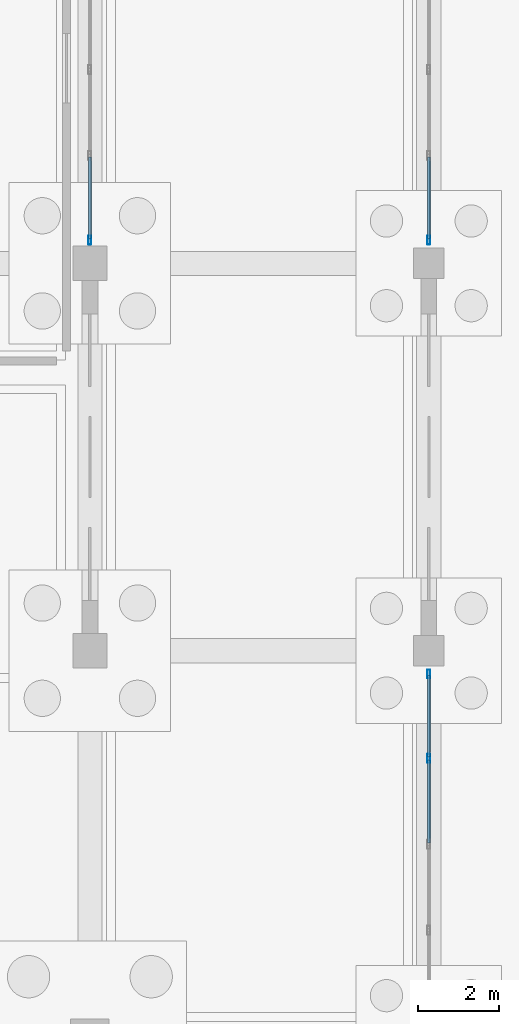
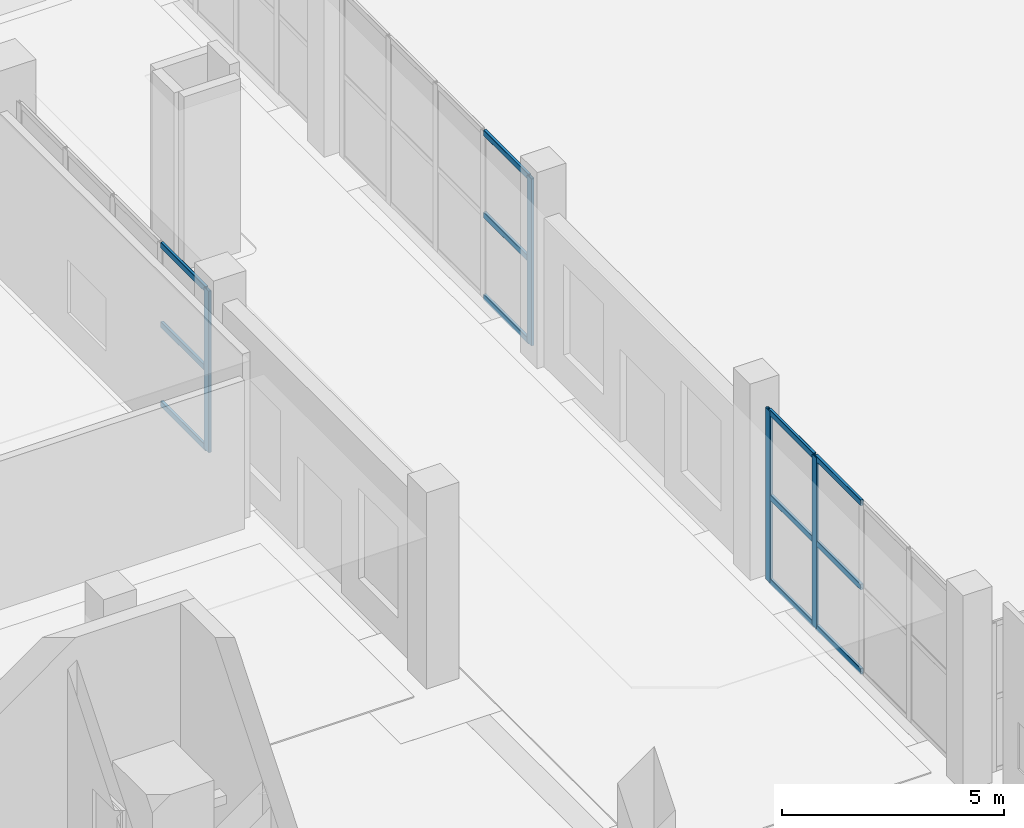
# One storey, part 16 of 65: 16 members, 3 elements without a shape of their own.
"""IFC4 building model written with IfcOpenShell, lengths in metres."""

from ifc_helpers import new_model, si_unit, direction, frame, origin, origin_2d, place, context, subcontext, project, spatial, hollow_rectangle, extrude, material, layer, layer_set, material_profile, profile_set, type_object, element, aggregate, save


model = new_model("IFC4")

# Units and contexts
model_context = context("Model", 3, precision=1e-05, world=origin(), true_north=direction((0.0, 1.0)))
body_context = subcontext(model_context, "Body", "Model", "MODEL_VIEW")
ifc_project = project(units=[si_unit("LENGTHUNIT", "METRE"), si_unit("AREAUNIT", "SQUARE_METRE"), si_unit("VOLUMEUNIT", "CUBIC_METRE"), si_unit("PLANEANGLEUNIT", "RADIAN"), si_unit("MASSUNIT", "GRAM", prefix="KILO")], contexts=[model_context])

# Site, building, storey
site_placement = place(None, origin())
site = spatial("IfcSite", under=ifc_project, at=site_placement, CompositionType="ELEMENT")
building_placement = place(site_placement, origin())
building = spatial("IfcBuilding", under=site, at=building_placement, Name="Zulmaris Art Gallery", CompositionType="ELEMENT")
storey_placement = place(building_placement, origin())
storey = spatial("IfcBuildingStorey", under=building, at=storey_placement, Name="L00", CompositionType="ELEMENT", Elevation=0.0)

# Curtain wall, members
ifc_material_1 = material(Name="Cloister & Court Glazed Curtain Wall", Category="aluminium")
ifc_layer = layer(ifc_material_1, 0.179931640625)
ifc_layer_set = layer_set([ifc_layer], Name="Cloister & Court Glazed Curtain Wall")
curtain_wall_type = type_object("IfcCurtainWallType", Name="CW-CW03", PredefinedType="NOTDEFINED", material=ifc_layer_set)
curtain_wall_1_placement = place(storey_placement, origin())
curtain_wall_1 = element("IfcCurtainWall", 1, at=curtain_wall_1_placement, inside=storey, type_object=curtain_wall_type, Name="L00 curtain wall 66", PredefinedType="NOTDEFINED")
ifc_material_2 = material(Name="Anodised Bronze Aluminium", Category="aluminium")
ifc_material_profile_1 = material_profile(ifc_material_2, hollow_rectangle(XDim=0.074951171875, YDim=0.219970703125, WallThickness=0.0048828125, InnerFilletRadius=0.007568359375, OuterFilletRadius=0.012451171875, at=origin_2d()), Name="ALU 75x220x5")
ifc_profile_set_1 = profile_set([ifc_material_profile_1], Name="Anodised Bronze Aluminium")
member_type_1 = type_object("IfcMemberType", Name="CWMUL-02", PredefinedType="MULLION", material=ifc_profile_set_1)
member_1_placement = place(storey_placement, frame((91.199951171875, 30.62255859375, 0.0), z_axis=(0.0, 0.0, 1.0), x_axis=(1.0, 0.0, 0.0)))
member_1 = element("IfcMember", 2, at=member_1_placement, type_object=member_type_1, Name="CW03 mullion 1", PredefinedType="MULLION", context=body_context, shape_type="SweptSolid", body=[
    extrude(hollow_rectangle(XDim=0.074951171875, YDim=0.219970703125, WallThickness=0.0048828125, InnerFilletRadius=0.007568359375, OuterFilletRadius=0.012451171875, at=origin_2d()), origin(), (0.0, 0.0, 1.0), 4.7099609375),
])
member_2_placement = place(storey_placement, frame((91.199951171875, 28.530029296875, 0.0), z_axis=(0.0, 0.0, 1.0), x_axis=(1.0, 0.0, 0.0)))
member_2 = element("IfcMember", 3, at=member_2_placement, type_object=member_type_1, Name="CW03 mullion 2", PredefinedType="MULLION", context=body_context, shape_type="SweptSolid", body=[
    extrude(hollow_rectangle(XDim=0.074951171875, YDim=0.219970703125, WallThickness=0.0048828125, InnerFilletRadius=0.007568359375, OuterFilletRadius=0.012451171875, at=origin_2d()), origin(), (0.0, 0.0, 1.0), 4.7099609375),
])

# Curtain wall, member
curtain_wall_2_placement = place(storey_placement, origin())
curtain_wall_2 = element("IfcCurtainWall", 4, at=curtain_wall_2_placement, inside=storey, type_object=curtain_wall_type, Name="L00 curtain wall 67", PredefinedType="NOTDEFINED")
member_3_placement = place(storey_placement, frame((82.800048828125, 41.37744140625, 0.0), z_axis=(0.0, 0.0, 1.0), x_axis=(-1.0, 0.0, 0.0)))
member_3 = element("IfcMember", 5, at=member_3_placement, type_object=member_type_1, Name="CW03 mullion 1", PredefinedType="MULLION", context=body_context, shape_type="SweptSolid", body=[
    extrude(hollow_rectangle(XDim=0.074951171875, YDim=0.219970703125, WallThickness=0.0048828125, InnerFilletRadius=0.007568359375, OuterFilletRadius=0.012451171875, at=origin_2d()), origin(), (0.0, 0.0, 1.0), 4.43994140625),
])

curtain_wall_3_placement = place(storey_placement, origin())
curtain_wall_3 = element("IfcCurtainWall", 6, at=curtain_wall_3_placement, inside=storey, type_object=curtain_wall_type, Name="L00 curtain wall 68", PredefinedType="NOTDEFINED")
member_4_placement = place(storey_placement, frame((91.199951171875, 41.37744140625, 0.0), z_axis=(0.0, 0.0, 1.0), x_axis=(1.0, 0.0, 0.0)))
member_4 = element("IfcMember", 7, at=member_4_placement, type_object=member_type_1, Name="CW03 mullion 5", PredefinedType="MULLION", context=body_context, shape_type="SweptSolid", body=[
    extrude(hollow_rectangle(XDim=0.074951171875, YDim=0.219970703125, WallThickness=0.0048828125, InnerFilletRadius=0.007568359375, OuterFilletRadius=0.012451171875, at=origin_2d()), origin(), (0.0, 0.0, 1.0), 4.590087890625),
])

# Member
ifc_material_profile_2 = material_profile(ifc_material_2, hollow_rectangle(XDim=0.074951171875, YDim=0.159912109375, WallThickness=0.00390625, InnerFilletRadius=0.006103515625, OuterFilletRadius=0.010009765625, at=origin_2d()), Name="ALU 75x160x4")
ifc_profile_set_2 = profile_set([ifc_material_profile_2], Name="Anodised Bronze Aluminium")
member_type_2 = type_object("IfcMemberType", Name="CWTRN-02", PredefinedType="USERDEFINED", material=ifc_profile_set_2)
member_5_placement = place(storey_placement, frame((91.199951171875, 30.5849609375, 0.03759765625), z_axis=(0.0, -1.0, 0.0), x_axis=(1.0, 0.0, 0.0)))
member_5 = element("IfcMember", 8, at=member_5_placement, type_object=member_type_2, Name="CW03 transom 1.1", ObjectType="TRANSOM", PredefinedType="USERDEFINED", context=body_context, shape_type="SweptSolid", body=[
    extrude(hollow_rectangle(XDim=0.074951171875, YDim=0.159912109375, WallThickness=0.00390625, InnerFilletRadius=0.006103515625, OuterFilletRadius=0.010009765625, at=origin_2d()), origin(), (0.0, 0.0, 1.0), 2.017578125),
])

member_6_placement = place(storey_placement, frame((91.199951171875, 30.5849609375, 2.35498046875), z_axis=(0.0, -1.0, 0.0), x_axis=(1.0, 0.0, 0.0)))
member_6 = element("IfcMember", 9, at=member_6_placement, type_object=member_type_2, Name="CW03 transom 1.2", ObjectType="TRANSOM", PredefinedType="USERDEFINED", context=body_context, shape_type="SweptSolid", body=[
    extrude(hollow_rectangle(XDim=0.074951171875, YDim=0.159912109375, WallThickness=0.00390625, InnerFilletRadius=0.006103515625, OuterFilletRadius=0.010009765625, at=origin_2d()), origin(), (0.0, 0.0, 1.0), 2.017578125),
])

member_7_placement = place(storey_placement, frame((91.199951171875, 30.5849609375, 4.672607421875), z_axis=(0.0, -1.0, 0.0), x_axis=(1.0, 0.0, 0.0)))
member_7 = element("IfcMember", 10, at=member_7_placement, type_object=member_type_2, Name="CW03 transom 1.3", ObjectType="TRANSOM", PredefinedType="USERDEFINED", context=body_context, shape_type="SweptSolid", body=[
    extrude(hollow_rectangle(XDim=0.074951171875, YDim=0.159912109375, WallThickness=0.00390625, InnerFilletRadius=0.006103515625, OuterFilletRadius=0.010009765625, at=origin_2d()), origin(), (0.0, 0.0, 1.0), 2.017578125),
])

member_8_placement = place(storey_placement, frame((91.199951171875, 28.492431640625, 0.03759765625), z_axis=(0.0, -1.0, 0.0), x_axis=(1.0, 0.0, 0.0)))
member_8 = element("IfcMember", 11, at=member_8_placement, type_object=member_type_2, Name="CW03 transom 2.1", ObjectType="TRANSOM", PredefinedType="USERDEFINED", context=body_context, shape_type="SweptSolid", body=[
    extrude(hollow_rectangle(XDim=0.074951171875, YDim=0.159912109375, WallThickness=0.00390625, InnerFilletRadius=0.006103515625, OuterFilletRadius=0.010009765625, at=origin_2d()), origin(), (0.0, 0.0, 1.0), 2.054931640625),
])

member_9_placement = place(storey_placement, frame((91.199951171875, 28.492431640625, 2.35498046875), z_axis=(0.0, -1.0, 0.0), x_axis=(1.0, 0.0, 0.0)))
member_9 = element("IfcMember", 12, at=member_9_placement, type_object=member_type_2, Name="CW03 transom 2.2", ObjectType="TRANSOM", PredefinedType="USERDEFINED", context=body_context, shape_type="SweptSolid", body=[
    extrude(hollow_rectangle(XDim=0.074951171875, YDim=0.159912109375, WallThickness=0.00390625, InnerFilletRadius=0.006103515625, OuterFilletRadius=0.010009765625, at=origin_2d()), origin(), (0.0, 0.0, 1.0), 2.054931640625),
])

member_10_placement = place(storey_placement, frame((91.199951171875, 28.492431640625, 4.672607421875), z_axis=(0.0, -1.0, 0.0), x_axis=(1.0, 0.0, 0.0)))
member_10 = element("IfcMember", 13, at=member_10_placement, type_object=member_type_2, Name="CW03 transom 2.3", ObjectType="TRANSOM", PredefinedType="USERDEFINED", context=body_context, shape_type="SweptSolid", body=[
    extrude(hollow_rectangle(XDim=0.074951171875, YDim=0.159912109375, WallThickness=0.00390625, InnerFilletRadius=0.006103515625, OuterFilletRadius=0.010009765625, at=origin_2d()), origin(), (0.0, 0.0, 1.0), 2.054931640625),
])

aggregate(curtain_wall_1, [member_1, member_2, member_5, member_6, member_7, member_8, member_9, member_10])

member_11_placement = place(storey_placement, frame((82.800048828125, 41.4150390625, 0.03759765625), z_axis=(0.0, 1.0, 0.0), x_axis=(-1.0, 0.0, 0.0)))
member_11 = element("IfcMember", 14, at=member_11_placement, type_object=member_type_2, Name="CW03 transom 1.1", ObjectType="TRANSOM", PredefinedType="USERDEFINED", context=body_context, shape_type="SweptSolid", body=[
    extrude(hollow_rectangle(XDim=0.074951171875, YDim=0.159912109375, WallThickness=0.00390625, InnerFilletRadius=0.006103515625, OuterFilletRadius=0.010009765625, at=origin_2d()), origin(), (0.0, 0.0, 1.0), 2.017578125),
])

member_12_placement = place(storey_placement, frame((82.800048828125, 41.4150390625, 2.219970703125), z_axis=(0.0, 1.0, 0.0), x_axis=(-1.0, 0.0, 0.0)))
member_12 = element("IfcMember", 15, at=member_12_placement, type_object=member_type_2, Name="CW03 transom 1.2", ObjectType="TRANSOM", PredefinedType="USERDEFINED", context=body_context, shape_type="SweptSolid", body=[
    extrude(hollow_rectangle(XDim=0.074951171875, YDim=0.159912109375, WallThickness=0.00390625, InnerFilletRadius=0.006103515625, OuterFilletRadius=0.010009765625, at=origin_2d()), origin(), (0.0, 0.0, 1.0), 2.017578125),
])

member_13_placement = place(storey_placement, frame((82.800048828125, 41.4150390625, 4.402587890625), z_axis=(0.0, 1.0, 0.0), x_axis=(-1.0, 0.0, 0.0)))
member_13 = element("IfcMember", 16, at=member_13_placement, type_object=member_type_2, Name="CW03 transom 1.3", ObjectType="TRANSOM", PredefinedType="USERDEFINED", context=body_context, shape_type="SweptSolid", body=[
    extrude(hollow_rectangle(XDim=0.074951171875, YDim=0.159912109375, WallThickness=0.00390625, InnerFilletRadius=0.006103515625, OuterFilletRadius=0.010009765625, at=origin_2d()), origin(), (0.0, 0.0, 1.0), 2.017578125),
])

aggregate(curtain_wall_2, [member_3, member_11, member_12, member_13])

member_14_placement = place(storey_placement, frame((91.199951171875, 43.4326171875, 0.03759765625), z_axis=(0.0, -1.0, 0.0), x_axis=(1.0, 0.0, 0.0)))
member_14 = element("IfcMember", 17, at=member_14_placement, type_object=member_type_2, Name="CW03 transom 4.1", ObjectType="TRANSOM", PredefinedType="USERDEFINED", context=body_context, shape_type="SweptSolid", body=[
    extrude(hollow_rectangle(XDim=0.074951171875, YDim=0.159912109375, WallThickness=0.00390625, InnerFilletRadius=0.006103515625, OuterFilletRadius=0.010009765625, at=origin_2d()), origin(), (0.0, 0.0, 1.0), 2.017578125),
])

member_15_placement = place(storey_placement, frame((91.199951171875, 43.4326171875, 2.294921875), z_axis=(0.0, -1.0, 0.0), x_axis=(1.0, 0.0, 0.0)))
member_15 = element("IfcMember", 18, at=member_15_placement, type_object=member_type_2, Name="CW03 transom 4.2", ObjectType="TRANSOM", PredefinedType="USERDEFINED", context=body_context, shape_type="SweptSolid", body=[
    extrude(hollow_rectangle(XDim=0.074951171875, YDim=0.159912109375, WallThickness=0.00390625, InnerFilletRadius=0.006103515625, OuterFilletRadius=0.010009765625, at=origin_2d()), origin(), (0.0, 0.0, 1.0), 2.017578125),
])

member_16_placement = place(storey_placement, frame((91.199951171875, 43.4326171875, 4.552490234375), z_axis=(0.0, -1.0, 0.0), x_axis=(1.0, 0.0, 0.0)))
member_16 = element("IfcMember", 19, at=member_16_placement, type_object=member_type_2, Name="CW03 transom 4.3", ObjectType="TRANSOM", PredefinedType="USERDEFINED", context=body_context, shape_type="SweptSolid", body=[
    extrude(hollow_rectangle(XDim=0.074951171875, YDim=0.159912109375, WallThickness=0.00390625, InnerFilletRadius=0.006103515625, OuterFilletRadius=0.010009765625, at=origin_2d()), origin(), (0.0, 0.0, 1.0), 2.017578125),
])

aggregate(curtain_wall_3, [member_4, member_14, member_15, member_16])

save(model, "model.ifc")
